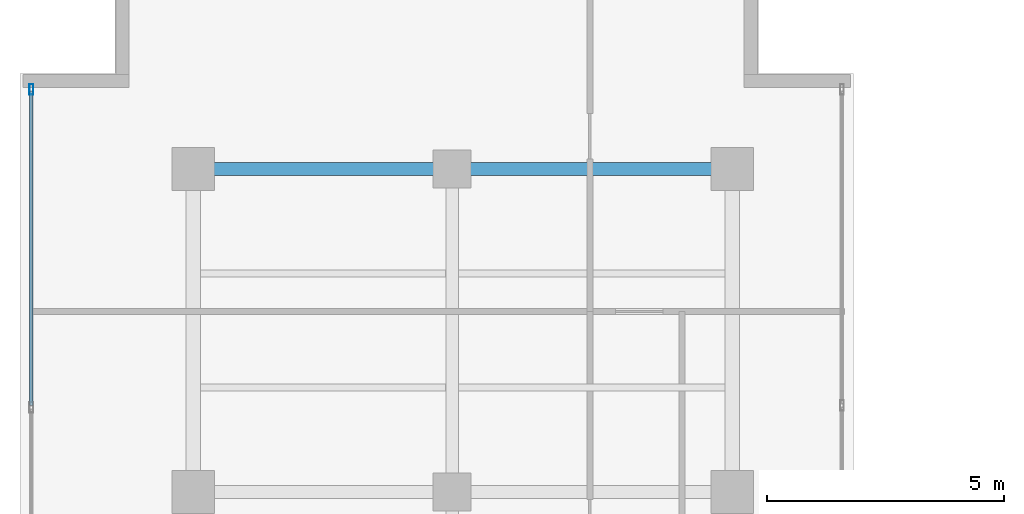
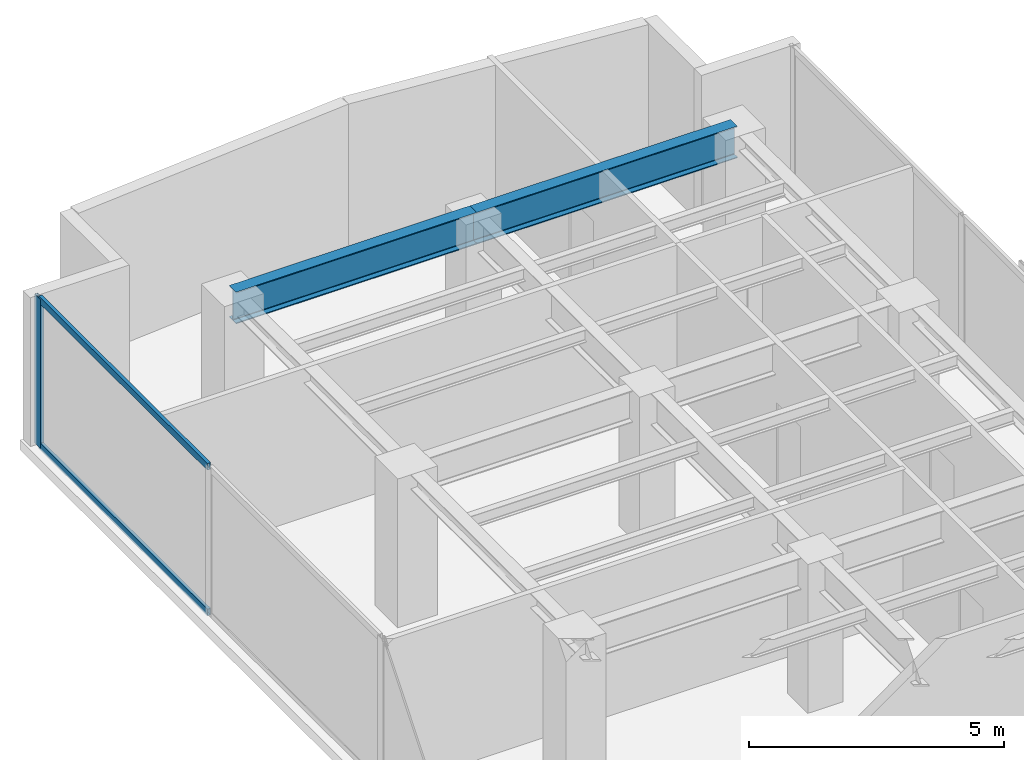
# One storey, part 14 of 22: 3 members, 2 beams, 1 element without a shape of its own.
"""IFC4 building model written with IfcOpenShell, lengths in metres."""

from ifc_helpers import new_model, si_unit, direction, frame, origin, origin_with_axes, origin_2d, place, context, subcontext, project, spatial, hollow_rectangle, i_section, extrude, source, transform, mapped, material, layer, layer_set, material_profile, profile_set, type_object, element, aggregate, save


model = new_model("IFC4")

# Units and contexts
model_context = context("Model", 3, precision=1e-05, world=origin(), true_north=direction((0.0, 1.0)))
body_context = subcontext(model_context, "Body", "Model", "MODEL_VIEW")
ifc_project = project(units=[si_unit("LENGTHUNIT", "METRE"), si_unit("AREAUNIT", "SQUARE_METRE"), si_unit("VOLUMEUNIT", "CUBIC_METRE"), si_unit("PLANEANGLEUNIT", "RADIAN"), si_unit("MASSUNIT", "GRAM", prefix="KILO")], contexts=[model_context])

# Site, building, storey
site_placement = place(None, origin())
site = spatial("IfcSite", under=ifc_project, at=site_placement, CompositionType="ELEMENT")
building_placement = place(site_placement, origin())
building = spatial("IfcBuilding", under=site, at=building_placement, Name="Kolvaren Waterfront Exchange", CompositionType="ELEMENT")
storey_placement = place(building_placement, frame((0.0, 0.0, 281.800048828125)))
storey = spatial("IfcBuildingStorey", under=building, at=storey_placement, Name="L72", CompositionType="ELEMENT", Elevation=281.800048828125)

# Beams
ifc_material_1 = material(Name="Steel S355", Category="steel")
ifc_material_profile_1 = material_profile(ifc_material_1, i_section(OverallWidth=0.26708984375, OverallDepth=0.761962890625, WebThickness=0.014404296875, FlangeThickness=0.021484375, FilletRadius=0.01708984375, at=origin_2d()), Name="IPE750x173")
ifc_profile_set_1 = profile_set([ifc_material_profile_1], Name="Steel S355")
beam_type = type_object("IfcBeamType", Name="STR-BM-IPE750", PredefinedType="BEAM", material=ifc_profile_set_1)
beam_1_placement = place(storey_placement, frame((7.449951171875, 44.60009765625, 3.178955078125), z_axis=(1.0, 0.0, 0.0), x_axis=(0.0, 1.0, 0.0)))
element("IfcBeam", 1, at=beam_1_placement, inside=storey, type_object=beam_type, Name="L72 north-arm girder 4A", PredefinedType="BEAM", context=body_context, shape_type="SweptSolid", body=[
    extrude(i_section(OverallWidth=0.26708984375, OverallDepth=0.761962890625, WebThickness=0.014404296875, FlangeThickness=0.021484375, FilletRadius=0.01708984375, at=origin_2d()), origin(), (0.0, 0.0, 1.0), 5.449951171875),
])
beam_2_placement = place(storey_placement, frame((12.89990234375, 44.60009765625, 3.178955078125), z_axis=(1.0, 0.0, 0.0), x_axis=(0.0, 1.0, 0.0)))
element("IfcBeam", 2, at=beam_2_placement, inside=storey, type_object=beam_type, Name="L72 north-arm girder 4B", PredefinedType="BEAM", context=body_context, shape_type="SweptSolid", body=[
    extrude(i_section(OverallWidth=0.26708984375, OverallDepth=0.761962890625, WebThickness=0.014404296875, FlangeThickness=0.021484375, FilletRadius=0.01708984375, at=origin_2d()), origin(), (0.0, 0.0, 1.0), 5.900146484375),
])

# Curtain wall, members
ifc_material_2 = material(Name="Anodised aluminium 6063-T6", Category="aluminium")
ifc_layer = layer(ifc_material_2, 0.219970703125, Name="Anodised aluminium 6063-T6")
ifc_layer_set = layer_set([ifc_layer], Name="Anodised aluminium 6063-T6")
curtain_wall_type = type_object("IfcCurtainWallType", Name="ARC-CW-SYS2", PredefinedType="USERDEFINED", material=ifc_layer_set)
curtain_wall_placement = place(storey_placement, origin())
curtain_wall = element("IfcCurtainWall", 3, at=curtain_wall_placement, inside=storey, type_object=curtain_wall_type, Name="L72 stick curtain wall CW2 (CW-L72-W)", ObjectType="STICK CURTAIN WALL", PredefinedType="USERDEFINED")
ifc_material_profile_2 = material_profile(ifc_material_2, hollow_rectangle(XDim=0.080078125, YDim=0.219970703125, WallThickness=0.0048828125, at=origin_2d()), Name="ALU-MUL-220x80x5")
ifc_profile_set_2 = profile_set([ifc_material_profile_2], Name="Anodised aluminium 6063-T6")
member_type_1 = type_object("IfcMemberType", Name="ARC-CWM-220", PredefinedType="MULLION", material=ifc_profile_set_2)
shared_shape_1 = source(origin_with_axes(), body_context, "Body", "SweptSolid", [
    extrude(hollow_rectangle(XDim=0.080078125, YDim=0.219970703125, WallThickness=0.0048828125, at=origin_2d()), origin(), (0.0, 0.0, 1.0), 3.56005859375),
])
member_1_placement = place(storey_placement, frame((4.0400390625, 46.27587890625, 0.0), z_axis=(0.0, 0.0, 1.0), x_axis=(-1.0, 0.0, 0.0)))
member_1 = element("IfcMember", 4, at=member_1_placement, type_object=member_type_1, Name="CW2 mullion 7", PredefinedType="MULLION", context=body_context, shape_type="MappedRepresentation", body=[
    mapped(shared_shape_1, transform((0.0, 0.0, 0.0), x_axis=(1.0, 0.0, 0.0), y_axis=(0.0, 1.0, 0.0), z_axis=(0.0, 0.0, 1.0), scale=1.0)),
])
ifc_material_profile_3 = material_profile(ifc_material_2, hollow_rectangle(XDim=0.074951171875, YDim=0.159912109375, WallThickness=0.00439453125, at=origin_2d()), Name="ALU-TRN-160x75x4.5")
ifc_profile_set_3 = profile_set([ifc_material_profile_3], Name="Anodised aluminium 6063-T6")
member_type_2 = type_object("IfcMemberType", Name="ARC-CWT-160", PredefinedType="USERDEFINED", material=ifc_profile_set_3)
shared_shape_2 = source(origin_with_axes(), body_context, "Body", "SweptSolid", [
    extrude(hollow_rectangle(XDim=0.074951171875, YDim=0.159912109375, WallThickness=0.00439453125, at=origin_2d()), origin(), (0.0, 0.0, 1.0), 6.615966796875),
])
member_2_placement = place(storey_placement, frame((4.0400390625, 39.619873046875, 0.037353515625), z_axis=(0.0, 1.0, 0.0), x_axis=(-1.0, 0.0, 0.0)))
member_2 = element("IfcMember", 5, at=member_2_placement, type_object=member_type_2, Name="CW2 transom 6.1", ObjectType="TRANSOM", PredefinedType="USERDEFINED", context=body_context, shape_type="MappedRepresentation", body=[
    mapped(shared_shape_2, transform((0.0, 0.0, 0.0), x_axis=(1.0, 0.0, 0.0), y_axis=(0.0, 1.0, 0.0), z_axis=(0.0, 0.0, 1.0), scale=1.0)),
])
member_3_placement = place(storey_placement, frame((4.0400390625, 39.619873046875, 3.5224609375), z_axis=(0.0, 1.0, 0.0), x_axis=(-1.0, 0.0, 0.0)))
member_3 = element("IfcMember", 6, at=member_3_placement, type_object=member_type_2, Name="CW2 transom 6.2", ObjectType="TRANSOM", PredefinedType="USERDEFINED", context=body_context, shape_type="MappedRepresentation", body=[
    mapped(shared_shape_2, transform((0.0, 0.0, 0.0), x_axis=(1.0, 0.0, 0.0), y_axis=(0.0, 1.0, 0.0), z_axis=(0.0, 0.0, 1.0), scale=1.0)),
])
aggregate(curtain_wall, [member_1, member_2, member_3])

save(model, "model.ifc")
